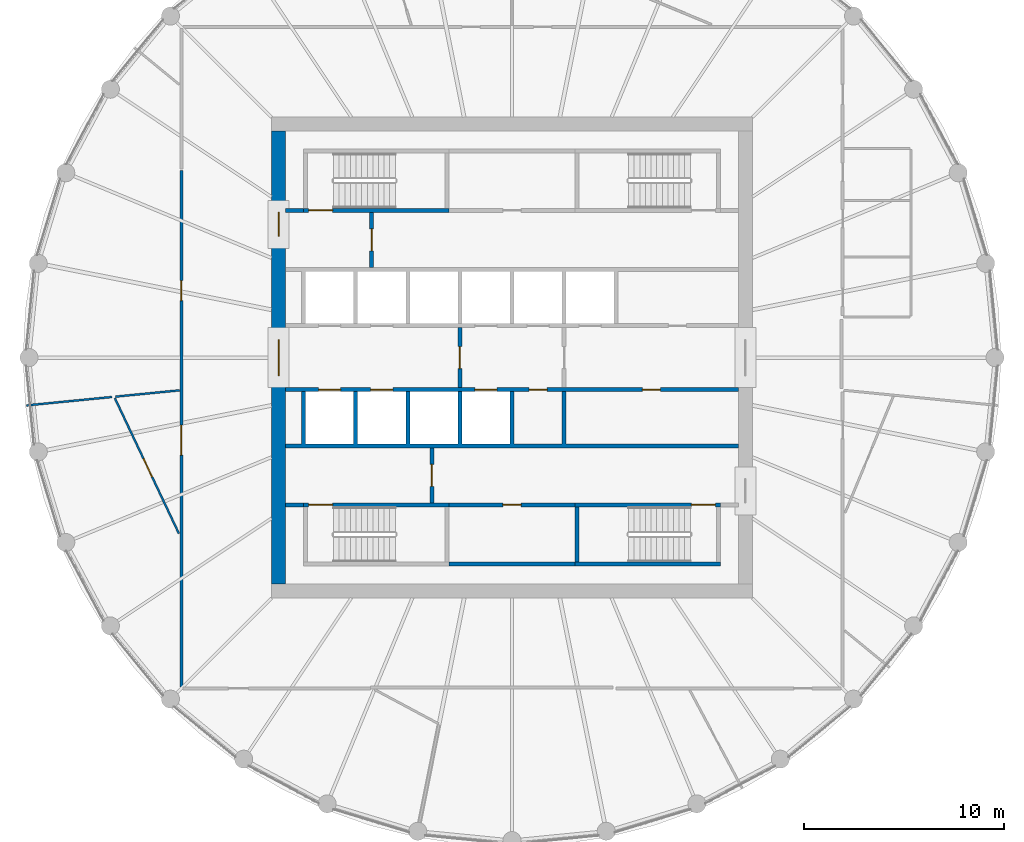
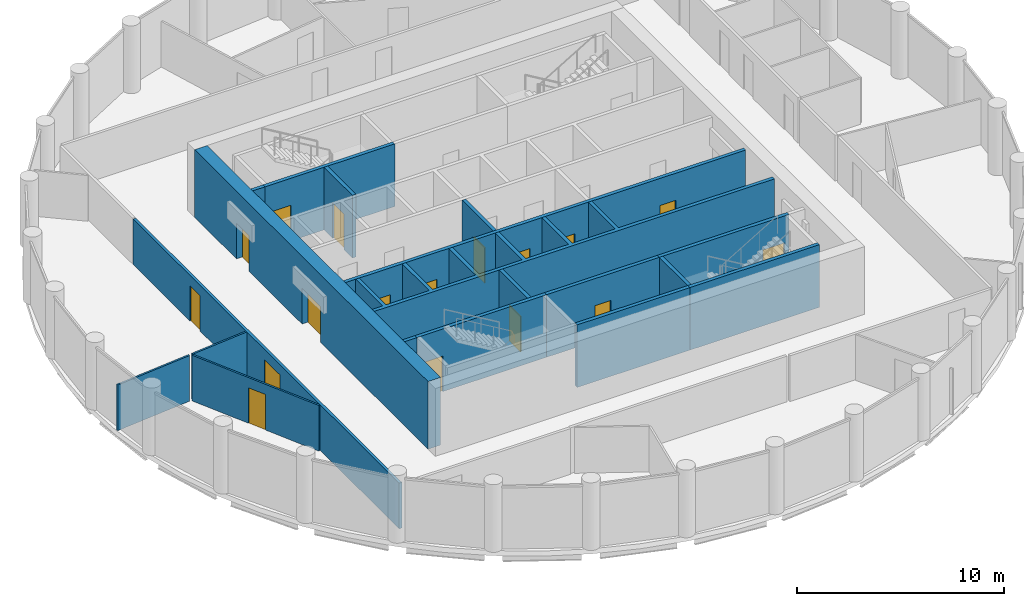
# One storey, part 4 of 7: 19 walls, 17 doors, 17 openings.
"""IFC4 building model written with IfcOpenShell, lengths in metres."""

from ifc_helpers import new_model, si_unit, direction, frame, frame_2d, origin, place, context, subcontext, project, spatial, polyline, rectangle, outline, extrude, material, layer, layer_set, type_object, element, fill, save


model = new_model("IFC4")

# Units and contexts
model_context = context("Model", 3, precision=1e-05, world=origin(), true_north=direction((0.0, 1.0)))
body_context = subcontext(model_context, "Body", "Model", "MODEL_VIEW")
ifc_project = project(units=[si_unit("LENGTHUNIT", "METRE"), si_unit("AREAUNIT", "SQUARE_METRE"), si_unit("VOLUMEUNIT", "CUBIC_METRE"), si_unit("PLANEANGLEUNIT", "RADIAN"), si_unit("MASSUNIT", "GRAM", prefix="KILO")], contexts=[model_context])

# Site, building, storey
site_placement = place(None, origin())
site = spatial("IfcSite", under=ifc_project, at=site_placement, CompositionType="ELEMENT")
building_placement = place(site_placement, origin())
building = spatial("IfcBuilding", under=site, at=building_placement, Name="Corvane Civic Tower", CompositionType="ELEMENT")
storey_placement = place(building_placement, frame((0.0, 0.0, 283.0)))
storey = spatial("IfcBuildingStorey", under=building, at=storey_placement, Name="L67", CompositionType="ELEMENT", Elevation=283.0)

# Wall, openings, doors
ifc_material_1 = material(Name="Concrete C40/50", Category="concrete")
ifc_layer_1 = layer(ifc_material_1, 0.699951171875)
ifc_layer_set_1 = layer_set([ifc_layer_1], Name="Concrete C40/50")
wall_type_1 = type_object("IfcWallType", Name="CORE WALL 700 C40/50", PredefinedType="SHEAR", material=ifc_layer_set_1)
wall_1_placement = place(storey_placement, frame((-11.64990234375, -11.300048828125, 0.0), z_axis=(0.0, 0.0, 1.0), x_axis=(0.0, 1.0, 0.0)))
wall_1 = element("IfcWall", 1, at=wall_1_placement, inside=storey, type_object=wall_type_1, Name="W-L67-core-W", PredefinedType="SHEAR", context=body_context, shape_type="SweptSolid", body=[
    extrude(rectangle(XDim=22.60009765625, YDim=0.699951171875, at=frame_2d((11.300048828125, 0.0))), origin(), (0.0, 0.0, 1.0), 4.0),
])
opening_1_placement = place(wall_1_placement, frame((10.39990234375, 0.0, 0.0)))
opening_1 = element("IfcOpeningElement", 2, at=opening_1_placement, cuts=wall_1, Name="Opening L67.C14", PredefinedType="OPENING", context=body_context, shape_type="SweptSolid", body=[
    extrude(rectangle(XDim=1.800048828125, YDim=2.10009765625, at=frame_2d((0.89990234375, 1.050048828125))), frame((0.0, 0.35986328125, 0.0), z_axis=(0.0, -1.0, 0.0), x_axis=(1.0, 0.0, 0.0)), (0.0, 0.0, 1.0), 0.719970703125),
])
opening_2_placement = place(wall_1_placement, frame((17.35009765625, 0.0, 0.0)))
opening_2 = element("IfcOpeningElement", 3, at=opening_2_placement, cuts=wall_1, Name="Opening L67.C16", PredefinedType="OPENING", context=body_context, shape_type="SweptSolid", body=[
    extrude(rectangle(XDim=1.199951171875, YDim=2.10009765625, at=frame_2d((0.60009765625, 1.050048828125))), frame((0.0, 0.35986328125, 0.0), z_axis=(0.0, -1.0, 0.0), x_axis=(1.0, 0.0, 0.0)), (0.0, 0.0, 1.0), 0.719970703125),
])
ifc_material_2 = material(Name="Steel fire door leaf", Category="steel")
door_type_1 = type_object("IfcDoorType", Name="CR-DOOR-CORE-1800", OperationType="DOUBLE_DOOR_SINGLE_SWING", PredefinedType="DOOR", material=ifc_material_2)
door_1_placement = place(opening_1_placement, origin())
door_1 = element("IfcDoor", 4, at=door_1_placement, inside=storey, type_object=door_type_1, Name="L67 door", OperationType="DOUBLE_DOOR_SINGLE_SWING", OverallHeight=2.10009765625, OverallWidth=1.800048828125, PredefinedType="DOOR", context=body_context, shape_type="SweptSolid", body=[
    extrude(rectangle(XDim=1.800048828125, YDim=2.10009765625, at=frame_2d((0.89990234375, 1.050048828125))), frame((0.0, 0.02490234375, 0.0), z_axis=(0.0, -1.0, 0.0), x_axis=(1.0, 0.0, 0.0)), (0.0, 0.0, 1.0), 0.050048828125),
])
fill(opening_1, door_1)
door_2_placement = place(opening_2_placement, origin())
door_2 = element("IfcDoor", 5, at=door_2_placement, inside=storey, type_object=door_type_1, Name="L67 door", OperationType="DOUBLE_DOOR_SINGLE_SWING", OverallHeight=2.10009765625, OverallWidth=1.199951171875, PredefinedType="DOOR", context=body_context, shape_type="SweptSolid", body=[
    extrude(rectangle(XDim=1.199951171875, YDim=2.10009765625, at=frame_2d((0.60009765625, 1.050048828125))), frame((0.0, 0.02490234375, 0.0), z_axis=(0.0, -1.0, 0.0), x_axis=(1.0, 0.0, 0.0)), (0.0, 0.0, 1.0), 0.050048828125),
])
fill(opening_2, door_2)

# Wall, opening, door
ifc_material_3 = material(Name="Concrete C30/37", Category="concrete")
ifc_layer_2 = layer(ifc_material_3, 0.199951171875)
ifc_layer_set_2 = layer_set([ifc_layer_2], Name="Concrete C30/37")
wall_type_2 = type_object("IfcWallType", Name="CR-WALL-200", PredefinedType="PARTITIONING", material=ifc_layer_set_2)
wall_2_placement = place(storey_placement, frame((-3.14990234375, -7.35009765625, 0.0), z_axis=(0.0, 0.0, 1.0), x_axis=(1.0, 0.0, 0.0)))
wall_2 = element("IfcWall", 6, at=wall_2_placement, inside=storey, type_object=wall_type_2, Name="L67 core partition wall", PredefinedType="PARTITIONING", context=body_context, shape_type="SweptSolid", body=[
    extrude(rectangle(XDim=6.2998046875, YDim=0.199951171875, at=frame_2d((3.14990234375, 0.0))), origin(), (0.0, 0.0, 1.0), 3.699951171875),
])
opening_3_placement = place(wall_2_placement, frame((2.699951171875, 0.0, 0.0)))
opening_3 = element("IfcOpeningElement", 7, at=opening_3_placement, cuts=wall_2, Name="Opening L67.C05", PredefinedType="OPENING", context=body_context, shape_type="SweptSolid", body=[
    extrude(rectangle(XDim=0.89990234375, YDim=2.10009765625, at=frame_2d((0.449951171875, 1.050048828125))), frame((0.0, 0.10986328125, 0.0), z_axis=(0.0, -1.0, 0.0), x_axis=(1.0, 0.0, 0.0)), (0.0, 0.0, 1.0), 0.219970703125),
])
ifc_material_4 = material(Name="Steel fire door leaf", Category="steel")
door_type_2 = type_object("IfcDoorType", Name="CR-DOOR-900", OperationType="SINGLE_SWING_LEFT", PredefinedType="DOOR", material=ifc_material_4)
door_3_placement = place(opening_3_placement, origin())
door_3 = element("IfcDoor", 8, at=door_3_placement, inside=storey, type_object=door_type_2, Name="L67 door", OperationType="SINGLE_SWING_LEFT", OverallHeight=2.10009765625, OverallWidth=0.89990234375, PredefinedType="DOOR", context=body_context, shape_type="SweptSolid", body=[
    extrude(rectangle(XDim=0.89990234375, YDim=2.10009765625, at=frame_2d((0.449951171875, 1.050048828125))), frame((0.0, 0.02490234375, 0.0), z_axis=(0.0, -1.0, 0.0), x_axis=(1.0, 0.0, 0.0)), (0.0, 0.0, 1.0), 0.050048828125),
])
fill(opening_3, door_3)

# Wall, openings, doors
wall_3_placement = place(storey_placement, frame((-11.300048828125, -1.60009765625, 0.0), z_axis=(0.0, 0.0, 1.0), x_axis=(1.0, 0.0, 0.0)))
wall_3 = element("IfcWall", 9, at=wall_3_placement, inside=storey, type_object=wall_type_2, Name="L67 lift shaft wall", PredefinedType="PARTITIONING", context=body_context, shape_type="SweptSolid", body=[
    extrude(rectangle(XDim=22.60009765625, YDim=0.199951171875, at=frame_2d((11.300048828125, 0.0))), origin(), (0.0, 0.0, 1.0), 3.699951171875),
])
opening_4_placement = place(wall_3_placement, frame((1.64990234375, 0.0, 0.0)))
opening_4 = element("IfcOpeningElement", 10, at=opening_4_placement, cuts=wall_3, Name="Opening LD", PredefinedType="OPENING", context=body_context, shape_type="SweptSolid", body=[
    extrude(rectangle(XDim=1.10009765625, YDim=2.10009765625, at=frame_2d((0.550048828125, 1.050048828125))), frame((0.0, 0.10986328125, 0.0), z_axis=(0.0, -1.0, 0.0), x_axis=(1.0, 0.0, 0.0)), (0.0, 0.0, 1.0), 0.219970703125),
])
opening_5_placement = place(wall_3_placement, frame((4.25, 0.0, 0.0)))
opening_5 = element("IfcOpeningElement", 11, at=opening_5_placement, cuts=wall_3, Name="Opening LD", PredefinedType="OPENING", context=body_context, shape_type="SweptSolid", body=[
    extrude(rectangle(XDim=1.10009765625, YDim=2.10009765625, at=frame_2d((0.550048828125, 1.050048828125))), frame((0.0, 0.10986328125, 0.0), z_axis=(0.0, -1.0, 0.0), x_axis=(1.0, 0.0, 0.0)), (0.0, 0.0, 1.0), 0.219970703125),
])
opening_6_placement = place(wall_3_placement, frame((9.449951171875, 0.0, 0.0)))
opening_6 = element("IfcOpeningElement", 12, at=opening_6_placement, cuts=wall_3, Name="Opening LD", PredefinedType="OPENING", context=body_context, shape_type="SweptSolid", body=[
    extrude(rectangle(XDim=1.10009765625, YDim=2.10009765625, at=frame_2d((0.550048828125, 1.050048828125))), frame((0.0, 0.10986328125, 0.0), z_axis=(0.0, -1.0, 0.0), x_axis=(1.0, 0.0, 0.0)), (0.0, 0.0, 1.0), 0.219970703125),
])
opening_7_placement = place(wall_3_placement, frame((12.14990234375, 0.0, 0.0)))
opening_7 = element("IfcOpeningElement", 13, at=opening_7_placement, cuts=wall_3, Name="Opening L67.C02", PredefinedType="OPENING", context=body_context, shape_type="SweptSolid", body=[
    extrude(rectangle(XDim=0.89990234375, YDim=2.10009765625, at=frame_2d((0.449951171875, 1.050048828125))), frame((0.0, 0.10986328125, 0.0), z_axis=(0.0, -1.0, 0.0), x_axis=(1.0, 0.0, 0.0)), (0.0, 0.0, 1.0), 0.219970703125),
])
opening_8_placement = place(wall_3_placement, frame((17.800048828125, 0.0, 0.0)))
opening_8 = element("IfcOpeningElement", 14, at=opening_8_placement, cuts=wall_3, Name="Opening L67.C03", PredefinedType="OPENING", context=body_context, shape_type="SweptSolid", body=[
    extrude(rectangle(XDim=0.89990234375, YDim=2.10009765625, at=frame_2d((0.449951171875, 1.050048828125))), frame((0.0, 0.10986328125, 0.0), z_axis=(0.0, -1.0, 0.0), x_axis=(1.0, 0.0, 0.0)), (0.0, 0.0, 1.0), 0.219970703125),
])
door_4_placement = place(opening_7_placement, origin())
door_4 = element("IfcDoor", 15, at=door_4_placement, inside=storey, type_object=door_type_2, Name="L67 door", OperationType="SINGLE_SWING_LEFT", OverallHeight=2.10009765625, OverallWidth=0.89990234375, PredefinedType="DOOR", context=body_context, shape_type="SweptSolid", body=[
    extrude(rectangle(XDim=0.89990234375, YDim=2.10009765625, at=frame_2d((0.449951171875, 1.050048828125))), frame((0.0, 0.02490234375, 0.0), z_axis=(0.0, -1.0, 0.0), x_axis=(1.0, 0.0, 0.0)), (0.0, 0.0, 1.0), 0.050048828125),
])
fill(opening_7, door_4)
door_5_placement = place(opening_8_placement, origin())
door_5 = element("IfcDoor", 16, at=door_5_placement, inside=storey, type_object=door_type_2, Name="L67 door", OperationType="SINGLE_SWING_LEFT", OverallHeight=2.10009765625, OverallWidth=0.89990234375, PredefinedType="DOOR", context=body_context, shape_type="SweptSolid", body=[
    extrude(rectangle(XDim=0.89990234375, YDim=2.10009765625, at=frame_2d((0.449951171875, 1.050048828125))), frame((0.0, 0.02490234375, 0.0), z_axis=(0.0, -1.0, 0.0), x_axis=(1.0, 0.0, 0.0)), (0.0, 0.0, 1.0), 0.050048828125),
])
fill(opening_8, door_5)
ifc_material_5 = material(Name="Stainless steel 316 door leaves", Category="steel")
door_type_3 = type_object("IfcDoorType", Name="LD", OperationType="DOUBLE_DOOR_SLIDING", PredefinedType="DOOR", material=ifc_material_5)
door_6_placement = place(opening_4_placement, origin())
door_6 = element("IfcDoor", 17, at=door_6_placement, inside=storey, type_object=door_type_3, Name="L67 landing door", OperationType="DOUBLE_DOOR_SLIDING", OverallHeight=2.10009765625, OverallWidth=1.10009765625, PredefinedType="DOOR", context=body_context, shape_type="SweptSolid", body=[
    extrude(rectangle(XDim=1.10009765625, YDim=2.10009765625, at=frame_2d((0.550048828125, 1.050048828125))), frame((0.0, 0.02490234375, 0.0), z_axis=(0.0, -1.0, 0.0), x_axis=(1.0, 0.0, 0.0)), (0.0, 0.0, 1.0), 0.050048828125),
])
fill(opening_4, door_6)
door_7_placement = place(opening_5_placement, origin())
door_7 = element("IfcDoor", 18, at=door_7_placement, inside=storey, type_object=door_type_3, Name="L67 landing door", OperationType="DOUBLE_DOOR_SLIDING", OverallHeight=2.10009765625, OverallWidth=1.10009765625, PredefinedType="DOOR", context=body_context, shape_type="SweptSolid", body=[
    extrude(rectangle(XDim=1.10009765625, YDim=2.10009765625, at=frame_2d((0.550048828125, 1.050048828125))), frame((0.0, 0.02490234375, 0.0), z_axis=(0.0, -1.0, 0.0), x_axis=(1.0, 0.0, 0.0)), (0.0, 0.0, 1.0), 0.050048828125),
])
fill(opening_5, door_7)
door_8_placement = place(opening_6_placement, origin())
door_8 = element("IfcDoor", 19, at=door_8_placement, inside=storey, type_object=door_type_3, Name="L67 landing door", OperationType="DOUBLE_DOOR_SLIDING", OverallHeight=2.10009765625, OverallWidth=1.10009765625, PredefinedType="DOOR", context=body_context, shape_type="SweptSolid", body=[
    extrude(rectangle(XDim=1.10009765625, YDim=2.10009765625, at=frame_2d((0.550048828125, 1.050048828125))), frame((0.0, 0.02490234375, 0.0), z_axis=(0.0, -1.0, 0.0), x_axis=(1.0, 0.0, 0.0)), (0.0, 0.0, 1.0), 0.050048828125),
])
fill(opening_6, door_8)

# Wall, opening, door
wall_4_placement = place(storey_placement, frame((-7.0, 4.5, 0.0), z_axis=(0.0, 0.0, 1.0), x_axis=(0.0, 1.0, 0.0)))
wall_4 = element("IfcWall", 20, at=wall_4_placement, inside=storey, type_object=wall_type_2, Name="L67 core partition wall", PredefinedType="PARTITIONING", context=body_context, shape_type="SweptSolid", body=[
    extrude(rectangle(XDim=2.75, YDim=0.199951171875, at=frame_2d((1.375, 0.0))), origin(), (0.0, 0.0, 1.0), 3.699951171875),
])
opening_9_placement = place(wall_4_placement, frame((0.824951171875, 0.0, 0.0)))
opening_9 = element("IfcOpeningElement", 21, at=opening_9_placement, cuts=wall_4, Name="Opening L67.C12", PredefinedType="OPENING", context=body_context, shape_type="SweptSolid", body=[
    extrude(rectangle(XDim=1.10009765625, YDim=2.10009765625, at=frame_2d((0.550048828125, 1.050048828125))), frame((0.0, 0.10986328125, 0.0), z_axis=(0.0, -1.0, 0.0), x_axis=(1.0, 0.0, 0.0)), (0.0, 0.0, 1.0), 0.219970703125),
])
ifc_material_6 = material(Name="Steel fire door leaf", Category="steel")
door_type_4 = type_object("IfcDoorType", Name="CR-DOOR-FFL-1100", OperationType="SINGLE_SWING_LEFT", PredefinedType="DOOR", material=ifc_material_6)
door_9_placement = place(opening_9_placement, origin())
door_9 = element("IfcDoor", 22, at=door_9_placement, inside=storey, type_object=door_type_4, Name="L67 lobby door", OperationType="SINGLE_SWING_LEFT", OverallHeight=2.10009765625, OverallWidth=1.10009765625, PredefinedType="DOOR", context=body_context, shape_type="SweptSolid", body=[
    extrude(rectangle(XDim=1.10009765625, YDim=2.10009765625, at=frame_2d((0.550048828125, 1.050048828125))), frame((0.0, 0.02490234375, 0.0), z_axis=(0.0, -1.0, 0.0), x_axis=(1.0, 0.0, 0.0)), (0.0, 0.0, 1.0), 0.050048828125),
])
fill(opening_9, door_9)

wall_5_placement = place(storey_placement, frame((-4.0, -7.25, 0.0), z_axis=(0.0, 0.0, 1.0), x_axis=(0.0, 1.0, 0.0)))
wall_5 = element("IfcWall", 23, at=wall_5_placement, inside=storey, type_object=wall_type_2, Name="L67 core partition wall", PredefinedType="PARTITIONING", context=body_context, shape_type="SweptSolid", body=[
    extrude(rectangle(XDim=2.75, YDim=0.199951171875, at=frame_2d((1.375, 0.0))), origin(), (0.0, 0.0, 1.0), 3.699951171875),
])
opening_10_placement = place(wall_5_placement, frame((0.824951171875, 0.0, 0.0)))
opening_10 = element("IfcOpeningElement", 24, at=opening_10_placement, cuts=wall_5, Name="Opening L67.C13", PredefinedType="OPENING", context=body_context, shape_type="SweptSolid", body=[
    extrude(rectangle(XDim=1.10009765625, YDim=2.10009765625, at=frame_2d((0.550048828125, 1.050048828125))), frame((0.0, 0.10986328125, 0.0), z_axis=(0.0, -1.0, 0.0), x_axis=(1.0, 0.0, 0.0)), (0.0, 0.0, 1.0), 0.219970703125),
])
door_10_placement = place(opening_10_placement, origin())
door_10 = element("IfcDoor", 25, at=door_10_placement, inside=storey, type_object=door_type_4, Name="L67 lobby door", OperationType="SINGLE_SWING_LEFT", OverallHeight=2.10009765625, OverallWidth=1.10009765625, PredefinedType="DOOR", context=body_context, shape_type="SweptSolid", body=[
    extrude(rectangle(XDim=1.10009765625, YDim=2.10009765625, at=frame_2d((0.550048828125, 1.050048828125))), frame((0.0, 0.02490234375, 0.0), z_axis=(0.0, -1.0, 0.0), x_axis=(1.0, 0.0, 0.0)), (0.0, 0.0, 1.0), 0.050048828125),
])
fill(opening_10, door_10)

wall_6_placement = place(storey_placement, frame((-2.60009765625, -1.5, 0.0), z_axis=(0.0, 0.0, 1.0), x_axis=(0.0, 1.0, 0.0)))
wall_6 = element("IfcWall", 26, at=wall_6_placement, inside=storey, type_object=wall_type_2, Name="L67 firefighting lobby wall", PredefinedType="PARTITIONING", context=body_context, shape_type="SweptSolid", body=[
    extrude(rectangle(XDim=3.0, YDim=0.199951171875, at=frame_2d((1.5, 0.0))), origin(), (0.0, 0.0, 1.0), 3.699951171875),
])
opening_11_placement = place(wall_6_placement, frame((0.949951171875, 0.0, 0.0)))
opening_11 = element("IfcOpeningElement", 27, at=opening_11_placement, cuts=wall_6, Name="Opening L67.C10", PredefinedType="OPENING", context=body_context, shape_type="SweptSolid", body=[
    extrude(rectangle(XDim=1.10009765625, YDim=2.10009765625, at=frame_2d((0.550048828125, 1.050048828125))), frame((0.0, 0.10986328125, 0.0), z_axis=(0.0, -1.0, 0.0), x_axis=(1.0, 0.0, 0.0)), (0.0, 0.0, 1.0), 0.219970703125),
])
door_11_placement = place(opening_11_placement, origin())
door_11 = element("IfcDoor", 28, at=door_11_placement, inside=storey, type_object=door_type_4, Name="L67 lobby door", OperationType="SINGLE_SWING_LEFT", OverallHeight=2.10009765625, OverallWidth=1.10009765625, PredefinedType="DOOR", context=body_context, shape_type="SweptSolid", body=[
    extrude(rectangle(XDim=1.10009765625, YDim=2.10009765625, at=frame_2d((0.550048828125, 1.050048828125))), frame((0.0, 0.02490234375, 0.0), z_axis=(0.0, -1.0, 0.0), x_axis=(1.0, 0.0, 0.0)), (0.0, 0.0, 1.0), 0.050048828125),
])
fill(opening_11, door_11)

# Walls
wall_7_placement = place(storey_placement, origin())
element("IfcWall", 29, at=wall_7_placement, inside=storey, type_object=wall_type_2, Name="L67 core partition wall", PredefinedType="PARTITIONING", context=body_context, shape_type="SweptSolid", body=[
    extrude(outline(polyline([(-10.39990234375, -7.25), (-10.39990234375, -7.449951171875), (-11.300048828125, -7.449951171875), (-11.300048828125, -7.25), (-10.39990234375, -7.25)])), origin(), (0.0, 0.0, 1.0), 3.699951171875),
])
wall_8_placement = place(storey_placement, origin())
element("IfcWall", 30, at=wall_8_placement, inside=storey, type_object=wall_type_2, Name="L67 core partition wall", PredefinedType="PARTITIONING", context=body_context, shape_type="SweptSolid", body=[
    extrude(outline(polyline([(-10.39990234375, 7.25), (-11.300048828125, 7.25), (-11.300048828125, 7.449951171875), (-10.39990234375, 7.449951171875), (-10.39990234375, 7.25)])), origin(), (0.0, 0.0, 1.0), 3.699951171875),
])
wall_9_placement = place(storey_placement, origin())
element("IfcWall", 31, at=wall_9_placement, inside=storey, type_object=wall_type_2, Name="L67 core partition wall", PredefinedType="PARTITIONING", context=body_context, shape_type="SweptSolid", body=[
    extrude(outline(polyline([(-10.300048828125, -1.699951171875), (-10.300048828125, -4.300048828125), (-7.89990234375, -4.300048828125), (-7.89990234375, -1.699951171875), (-7.699951171875, -1.699951171875), (-7.699951171875, -4.300048828125), (-5.300048828125, -4.300048828125), (-5.300048828125, -1.699951171875), (-5.10009765625, -1.699951171875), (-5.10009765625, -4.300048828125), (-2.699951171875, -4.300048828125), (-2.699951171875, -1.699951171875), (-2.5, -1.699951171875), (-2.5, -4.300048828125), (-0.10009765625, -4.300048828125), (-0.10009765625, -1.699951171875), (0.10009765625, -1.699951171875), (0.10009765625, -4.300048828125), (2.5, -4.300048828125), (2.5, -1.699951171875), (2.699951171875, -1.699951171875), (2.699951171875, -4.300048828125), (11.300048828125, -4.300048828125), (11.300048828125, -4.5), (-11.300048828125, -4.5), (-11.300048828125, -4.300048828125), (-10.5, -4.300048828125), (-10.5, -1.699951171875), (-10.300048828125, -1.699951171875)])), origin(), (0.0, 0.0, 1.0), 3.699951171875),
])
wall_10_placement = place(storey_placement, origin())
element("IfcWall", 32, at=wall_10_placement, inside=storey, type_object=wall_type_2, Name="L67 core partition wall", PredefinedType="PARTITIONING", context=body_context, shape_type="SweptSolid", body=[
    extrude(outline(polyline([(3.14990234375, -10.199951171875), (3.14990234375, -10.39990234375), (-3.14990234375, -10.39990234375), (-3.14990234375, -10.199951171875), (3.14990234375, -10.199951171875)])), origin(), (0.0, 0.0, 1.0), 3.699951171875),
])

# Wall, opening, door
ifc_material_7 = material(Name="Plasterboard")
ifc_layer_3 = layer(ifc_material_7, 0.10009765625)
ifc_layer_set_3 = layer_set([ifc_layer_3], Name="Plasterboard")
wall_type_3 = type_object("IfcWallType", Name="Partition 100 plasterboard on studs", PredefinedType="PARTITIONING", material=ifc_layer_set_3)
wall_11_placement = place(storey_placement, frame((-19.818603515625, -2.01904296875, 0.0), z_axis=(0.0, 0.0, 1.0), x_axis=(0.427564392519, -0.903984894923, 0.0)))
wall_11 = element("IfcWall", 33, at=wall_11_placement, inside=storey, type_object=wall_type_3, Name="Partition L67.010", PredefinedType="PARTITIONING", context=body_context, shape_type="SweptSolid", body=[
    extrude(rectangle(XDim=7.480712890625, YDim=0.10009765625, at=frame_2d((3.740234375, 0.0))), origin(), (0.0, 0.0, 1.0), 2.699951171875),
])
opening_12_placement = place(wall_11_placement, frame((3.345458984375, 0.0, 0.0)))
opening_12 = element("IfcOpeningElement", 34, at=opening_12_placement, cuts=wall_11, Name="Opening L67.010", PredefinedType="OPENING", context=body_context, shape_type="SweptSolid", body=[
    extrude(rectangle(XDim=1.0, YDim=2.10009765625, at=frame_2d((0.5, 1.050048828125))), frame((0.0, 0.06005859375, 0.0), z_axis=(0.0, -1.0, 0.0), x_axis=(1.0, 0.0, 0.0)), (0.0, 0.0, 1.0), 0.1201171875),
])
ifc_material_8 = material(Name="Timber", Category="wood")
door_type_5 = type_object("IfcDoorType", Name="Single door 1000", OperationType="NOTDEFINED", PredefinedType="DOOR", material=ifc_material_8)
door_12_placement = place(opening_12_placement, frame((1.0, 0.0, 0.0), z_axis=(0.0, 0.0, 1.0), x_axis=(-1.0, 0.0, 0.0)))
door_12 = element("IfcDoor", 35, at=door_12_placement, inside=storey, type_object=door_type_5, Name="Door L67.010", OperationType="SINGLE_SWING_LEFT", OverallHeight=2.10009765625, OverallWidth=1.0, PredefinedType="DOOR", context=body_context, shape_type="SweptSolid", body=[
    extrude(rectangle(XDim=1.0, YDim=2.10009765625, at=frame_2d((0.5, 1.050048828125))), frame((0.0, 0.02490234375, 0.0), z_axis=(0.0, -1.0, 0.0), x_axis=(1.0, 0.0, 0.0)), (0.0, 0.0, 1.0), 0.050048828125),
])
fill(opening_12, door_12)

# Walls
wall_12_placement = place(storey_placement, frame((-24.23291015625, -2.38671875, 0.0), z_axis=(0.0, 0.0, 1.0), x_axis=(0.99518776214, 0.09798631581, 0.0)))
element("IfcWall", 36, at=wall_12_placement, inside=storey, type_object=wall_type_3, Name="Partition L67.012", PredefinedType="PARTITIONING", context=body_context, shape_type="SweptSolid", body=[
    extrude(rectangle(XDim=4.285400390625, YDim=0.10009765625, at=frame_2d((2.142578125, 0.0))), origin(), (0.0, 0.0, 1.0), 2.699951171875),
])
wall_13_placement = place(storey_placement, frame((-19.7880859375, -1.948974609375, 0.0), z_axis=(0.0, 0.0, 1.0), x_axis=(0.995186761874, 0.097996474383, 0.0)))
element("IfcWall", 37, at=wall_13_placement, inside=storey, type_object=wall_type_3, Name="Partition L67.014", PredefinedType="PARTITIONING", context=body_context, shape_type="SweptSolid", body=[
    extrude(rectangle(XDim=3.223876953125, YDim=0.10009765625, at=frame_2d((1.61181640625, 0.0))), origin(), (0.0, 0.0, 1.0), 2.699951171875),
])

# Wall, opening, door
ifc_material_9 = material(Name="Concrete C50/60", Category="concrete")
ifc_layer_4 = layer(ifc_material_9, 0.199951171875)
ifc_layer_set_4 = layer_set([ifc_layer_4], Name="Concrete C50/60")
wall_type_4 = type_object("IfcWallType", Name="ST-WALL-200", PredefinedType="SHEAR", material=ifc_layer_set_4)
wall_14_placement = place(storey_placement, frame((-10.39990234375, -7.35009765625, 0.0), z_axis=(0.0, 0.0, 1.0), x_axis=(1.0, 0.0, 0.0)))
wall_14 = element("IfcWall", 38, at=wall_14_placement, inside=storey, type_object=wall_type_4, Name="L67 stair enclosure wall", PredefinedType="SHEAR", context=body_context, shape_type="SweptSolid", body=[
    extrude(rectangle(XDim=7.25, YDim=0.199951171875, at=frame_2d((3.625, 0.0))), origin(), (0.0, 0.0, 1.0), 3.699951171875),
])
opening_13_placement = place(wall_14_placement, frame((0.25, 0.0, 0.0)))
opening_13 = element("IfcOpeningElement", 39, at=opening_13_placement, cuts=wall_14, Name="Opening L67.C09", PredefinedType="OPENING", context=body_context, shape_type="SweptSolid", body=[
    extrude(rectangle(XDim=1.199951171875, YDim=2.10009765625, at=frame_2d((0.60009765625, 1.050048828125))), frame((0.0, 0.10986328125, 0.0), z_axis=(0.0, -1.0, 0.0), x_axis=(1.0, 0.0, 0.0)), (0.0, 0.0, 1.0), 0.219970703125),
])
ifc_material_10 = material(Name="Steel fire door leaf", Category="steel")
door_type_6 = type_object("IfcDoorType", Name="ST-DOOR-1200", OperationType="SINGLE_SWING_RIGHT", PredefinedType="DOOR", material=ifc_material_10)
door_13_placement = place(opening_13_placement, origin())
door_13 = element("IfcDoor", 40, at=door_13_placement, inside=storey, type_object=door_type_6, Name="L67 stair door", OperationType="SINGLE_SWING_RIGHT", OverallHeight=2.10009765625, OverallWidth=1.199951171875, PredefinedType="DOOR", context=body_context, shape_type="SweptSolid", body=[
    extrude(rectangle(XDim=1.199951171875, YDim=2.10009765625, at=frame_2d((0.60009765625, 1.050048828125))), frame((0.0, 0.02490234375, 0.0), z_axis=(0.0, -1.0, 0.0), x_axis=(1.0, 0.0, 0.0)), (0.0, 0.0, 1.0), 0.050048828125),
])
fill(opening_13, door_13)

wall_15_placement = place(storey_placement, frame((3.14990234375, -7.35009765625, 0.0), z_axis=(0.0, 0.0, 1.0), x_axis=(1.0, 0.0, 0.0)))
wall_15 = element("IfcWall", 41, at=wall_15_placement, inside=storey, type_object=wall_type_4, Name="L67 stair enclosure wall", PredefinedType="SHEAR", context=body_context, shape_type="SweptSolid", body=[
    extrude(rectangle(XDim=7.25, YDim=0.199951171875, at=frame_2d((3.625, 0.0))), origin(), (0.0, 0.0, 1.0), 3.699951171875),
])
opening_14_placement = place(wall_15_placement, frame((5.800048828125, 0.0, 0.0)))
opening_14 = element("IfcOpeningElement", 42, at=opening_14_placement, cuts=wall_15, Name="Opening L67.C08", PredefinedType="OPENING", context=body_context, shape_type="SweptSolid", body=[
    extrude(rectangle(XDim=1.199951171875, YDim=2.10009765625, at=frame_2d((0.60009765625, 1.050048828125))), frame((0.0, 0.10986328125, 0.0), z_axis=(0.0, -1.0, 0.0), x_axis=(1.0, 0.0, 0.0)), (0.0, 0.0, 1.0), 0.219970703125),
])
door_14_placement = place(opening_14_placement, origin())
door_14 = element("IfcDoor", 43, at=door_14_placement, inside=storey, type_object=door_type_6, Name="L67 stair door", OperationType="SINGLE_SWING_RIGHT", OverallHeight=2.10009765625, OverallWidth=1.199951171875, PredefinedType="DOOR", context=body_context, shape_type="SweptSolid", body=[
    extrude(rectangle(XDim=1.199951171875, YDim=2.10009765625, at=frame_2d((0.60009765625, 1.050048828125))), frame((0.0, 0.02490234375, 0.0), z_axis=(0.0, -1.0, 0.0), x_axis=(1.0, 0.0, 0.0)), (0.0, 0.0, 1.0), 0.050048828125),
])
fill(opening_14, door_14)

wall_16_placement = place(storey_placement, frame((-10.39990234375, 7.35009765625, 0.0), z_axis=(0.0, 0.0, 1.0), x_axis=(1.0, 0.0, 0.0)))
wall_16 = element("IfcWall", 44, at=wall_16_placement, inside=storey, type_object=wall_type_4, Name="L67 stair enclosure wall", PredefinedType="SHEAR", context=body_context, shape_type="SweptSolid", body=[
    extrude(rectangle(XDim=7.25, YDim=0.199951171875, at=frame_2d((3.625, 0.0))), origin(), (0.0, 0.0, 1.0), 3.699951171875),
])
opening_15_placement = place(wall_16_placement, frame((0.25, 0.0, 0.0)))
opening_15 = element("IfcOpeningElement", 45, at=opening_15_placement, cuts=wall_16, Name="Opening L67.C07", PredefinedType="OPENING", context=body_context, shape_type="SweptSolid", body=[
    extrude(rectangle(XDim=1.199951171875, YDim=2.10009765625, at=frame_2d((0.60009765625, 1.050048828125))), frame((0.0, 0.10986328125, 0.0), z_axis=(0.0, -1.0, 0.0), x_axis=(1.0, 0.0, 0.0)), (0.0, 0.0, 1.0), 0.219970703125),
])
door_15_placement = place(opening_15_placement, origin())
door_15 = element("IfcDoor", 46, at=door_15_placement, inside=storey, type_object=door_type_6, Name="L67 stair door", OperationType="SINGLE_SWING_RIGHT", OverallHeight=2.10009765625, OverallWidth=1.199951171875, PredefinedType="DOOR", context=body_context, shape_type="SweptSolid", body=[
    extrude(rectangle(XDim=1.199951171875, YDim=2.10009765625, at=frame_2d((0.60009765625, 1.050048828125))), frame((0.0, 0.02490234375, 0.0), z_axis=(0.0, -1.0, 0.0), x_axis=(1.0, 0.0, 0.0)), (0.0, 0.0, 1.0), 0.050048828125),
])
fill(opening_15, door_15)

# Walls
wall_17_placement = place(storey_placement, origin())
element("IfcWall", 47, at=wall_17_placement, inside=storey, type_object=wall_type_4, Name="L67 stair enclosure wall", PredefinedType="SHEAR", context=body_context, shape_type="SweptSolid", body=[
    extrude(outline(polyline([(10.39990234375, -10.39990234375), (3.14990234375, -10.39990234375), (3.14990234375, -10.199951171875), (10.39990234375, -10.199951171875), (10.39990234375, -10.39990234375)])), origin(), (0.0, 0.0, 1.0), 3.699951171875),
])
wall_18_placement = place(storey_placement, origin())
element("IfcWall", 48, at=wall_18_placement, inside=storey, type_object=wall_type_4, Name="L67 stair enclosure wall", PredefinedType="SHEAR", context=body_context, shape_type="SweptSolid", body=[
    extrude(outline(polyline([(3.35009765625, -7.449951171875), (3.35009765625, -10.199951171875), (3.14990234375, -10.199951171875), (3.14990234375, -7.449951171875), (3.35009765625, -7.449951171875)])), origin(), (0.0, 0.0, 1.0), 3.699951171875),
])

# Wall, openings, doors
ifc_material_11 = material(Name="Plasterboard")
ifc_layer_5 = layer(ifc_material_11, 0.14990234375)
ifc_layer_set_5 = layer_set([ifc_layer_5], Name="Plasterboard")
wall_type_5 = type_object("IfcWallType", Name="Tenancy wall 150 EI 60", PredefinedType="PARTITIONING", material=ifc_layer_set_5)
wall_19_placement = place(storey_placement, frame((-16.5, -16.425048828125, 0.0), z_axis=(0.0, 0.0, 1.0), x_axis=(0.0, 1.0, 0.0)))
wall_19 = element("IfcWall", 49, at=wall_19_placement, inside=storey, type_object=wall_type_5, Name="Partition L67.007", PredefinedType="PARTITIONING", context=body_context, shape_type="SweptSolid", body=[
    extrude(rectangle(XDim=25.755126953125, YDim=0.14990234375, at=frame_2d((12.87744140625, 0.0))), origin(), (0.0, 0.0, 1.0), 2.699951171875),
])
opening_16_placement = place(wall_19_placement, frame((11.560791015625, 0.0, 0.0)))
opening_16 = element("IfcOpeningElement", 50, at=opening_16_placement, cuts=wall_19, Name="Opening L67.011", PredefinedType="OPENING", context=body_context, shape_type="SweptSolid", body=[
    extrude(rectangle(XDim=1.5, YDim=2.10009765625, at=frame_2d((0.75, 1.050048828125))), frame((0.0, 0.0849609375, 0.0), z_axis=(0.0, -1.0, 0.0), x_axis=(1.0, 0.0, 0.0)), (0.0, 0.0, 1.0), 0.169921875),
])
opening_17_placement = place(wall_19_placement, frame((19.261962890625, 0.0, 0.0)))
opening_17 = element("IfcOpeningElement", 51, at=opening_17_placement, cuts=wall_19, Name="Opening L67.012", PredefinedType="OPENING", context=body_context, shape_type="SweptSolid", body=[
    extrude(rectangle(XDim=1.0, YDim=2.10009765625, at=frame_2d((0.5, 1.050048828125))), frame((0.0, 0.0849609375, 0.0), z_axis=(0.0, -1.0, 0.0), x_axis=(1.0, 0.0, 0.0)), (0.0, 0.0, 1.0), 0.169921875),
])
ifc_material_12 = material(Name="Steel and timber", Category="steel")
door_type_7 = type_object("IfcDoorType", Name="Fire door FD30S 1000", OperationType="NOTDEFINED", PredefinedType="DOOR", material=ifc_material_12)
door_16_placement = place(opening_17_placement, origin())
door_16 = element("IfcDoor", 52, at=door_16_placement, inside=storey, type_object=door_type_7, Name="Door L67.012", OperationType="SINGLE_SWING_LEFT", OverallHeight=2.10009765625, OverallWidth=1.0, PredefinedType="DOOR", context=body_context, shape_type="SweptSolid", body=[
    extrude(rectangle(XDim=1.0, YDim=2.10009765625, at=frame_2d((0.5, 1.050048828125))), frame((0.0, 0.02490234375, 0.0), z_axis=(0.0, -1.0, 0.0), x_axis=(1.0, 0.0, 0.0)), (0.0, 0.0, 1.0), 0.050048828125),
])
fill(opening_17, door_16)
ifc_material_13 = material(Name="Steel and timber", Category="steel")
door_type_8 = type_object("IfcDoorType", Name="Fire door FD60 double 1500", OperationType="NOTDEFINED", PredefinedType="DOOR", material=ifc_material_13)
door_17_placement = place(opening_16_placement, origin())
door_17 = element("IfcDoor", 53, at=door_17_placement, inside=storey, type_object=door_type_8, Name="Door L67.011", OperationType="DOUBLE_DOOR_SINGLE_SWING", OverallHeight=2.10009765625, OverallWidth=1.5, PredefinedType="DOOR", context=body_context, shape_type="SweptSolid", body=[
    extrude(rectangle(XDim=1.5, YDim=2.10009765625, at=frame_2d((0.75, 1.050048828125))), frame((0.0, 0.02490234375, 0.0), z_axis=(0.0, -1.0, 0.0), x_axis=(1.0, 0.0, 0.0)), (0.0, 0.0, 1.0), 0.050048828125),
])
fill(opening_16, door_17)

save(model, "model.ifc")
